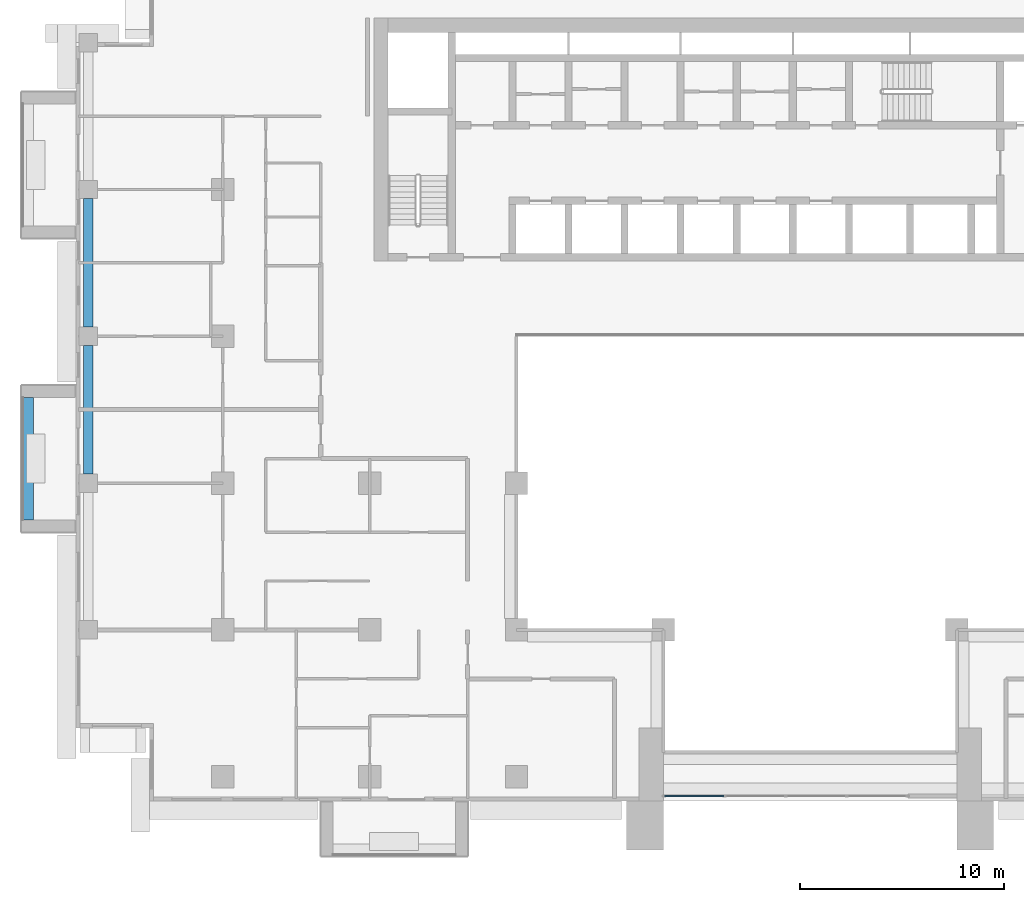
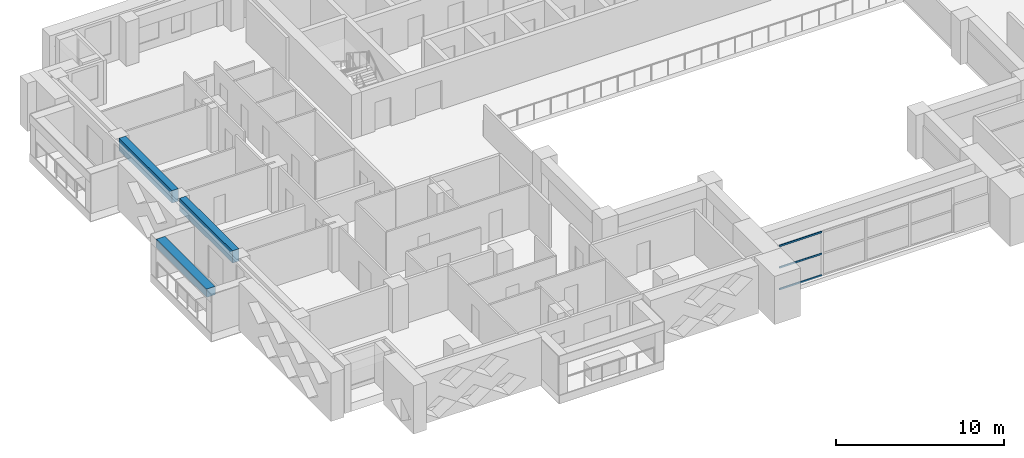
# One storey, part 3 of 20: 3 beams, 3 members, 1 element without a shape of its own.
"""IFC4 building model written with IfcOpenShell, lengths in metres."""

import ifcopenshell
import ifcopenshell.guid

model = None  # the IFC model being written
_history = None  # IfcOwnerHistory: only IFC2X3 demands one
_inside = {}  # id of a spatial element -> (the spatial element, [elements in it])
_under = {}  # id of a project, library or spatial element -> (it, [spatial elements below it])
_declared = {}  # id of a project -> (the project, [libraries it declares])
_typed = {}  # id of a type object -> (the type object, [elements of that type])
_made_of = {}  # id of a material, layer set ... -> (it, [elements and type objects made of it])


def new_model(schema):
    """Start an empty IFC model of exactly this schema.

    Asked for "IFC4X3", IfcOpenShell would pick the latest addendum, in which some entities
    have other attributes; the version numbers below select the first issue.
    IFC2X3 requires an IfcOwnerHistory on every rooted entity: one is made here for all.
    """
    global model, _history
    if schema == "IFC4X3":
        model = ifcopenshell.file(schema_version=(4, 3, 0, 0))
    else:
        model = ifcopenshell.file(schema=schema)
    _inside.clear()
    _under.clear()
    _declared.clear()
    _typed.clear()
    _made_of.clear()
    _history = None
    if model.schema == "IFC2X3":
        org = make("IfcOrganization", Name="unknown")
        user = make(
            "IfcPersonAndOrganization",
            ThePerson=make("IfcPerson", FamilyName="unknown"),
            TheOrganization=org,
        )
        app = make(
            "IfcApplication",
            ApplicationDeveloper=org,
            Version="unknown",
            ApplicationFullName="unknown",
            ApplicationIdentifier="unknown",
        )
        _history = make(
            "IfcOwnerHistory",
            OwningUser=user,
            OwningApplication=app,
            ChangeAction="ADDED",
            CreationDate=0,
        )
    return model


def make(cls, **values):
    """One entity of the class cls with the attributes given. An attribute that is None is left unset."""
    return model.create_entity(
        cls, **{name: value for name, value in values.items() if value is not None}
    )


def rooted(cls, **values):
    """An entity with a GlobalId (a new one), such as an element, a storey or a relation."""
    return make(cls, GlobalId=ifcopenshell.guid.new(), OwnerHistory=_history, **values)


def si_unit(unit_type, name, prefix=None):
    """IfcSIUnit, for example si_unit("LENGTHUNIT", "METRE", prefix="MILLI")."""
    return make("IfcSIUnit", UnitType=unit_type, Prefix=prefix, Name=name)


def assignment(units):
    """IfcUnitAssignment: the units of a project."""
    return None if units is None else make("IfcUnitAssignment", Units=units)


def point(xyz):
    """IfcCartesianPoint."""
    return None if xyz is None else make("IfcCartesianPoint", Coordinates=xyz)


def direction(xyz):
    """IfcDirection."""
    return None if xyz is None else make("IfcDirection", DirectionRatios=xyz)


def frame(location, z_axis=None, x_axis=None):
    """IfcAxis2Placement3D, a coordinate frame: its origin and axes. An axis left out is left unset."""
    return make(
        "IfcAxis2Placement3D",
        Location=point(location),
        Axis=direction(z_axis),
        RefDirection=direction(x_axis),
    )


def frame_2d(location, x_axis=None):
    """IfcAxis2Placement2D, a coordinate frame in the plane: its origin and x axis."""
    return make(
        "IfcAxis2Placement2D", Location=point(location), RefDirection=direction(x_axis)
    )


def origin():
    """The frame at (0, 0, 0) with its axes left unset."""
    return frame((0.0, 0.0, 0.0))


def origin_2d():
    """The frame at (0, 0) in the plane with its x axis left unset."""
    return frame_2d((0.0, 0.0))


def place(relative_to, where):
    """IfcLocalPlacement: puts the frame where relative to a parent placement (None: the world)."""
    return make(
        "IfcLocalPlacement", PlacementRelTo=relative_to, RelativePlacement=where
    )


def context(
    kind, dimensions, precision=None, world=None, true_north=None, identifier=None
):
    """IfcGeometricRepresentationContext, for example the 3D "Model" context."""
    return make(
        "IfcGeometricRepresentationContext",
        ContextIdentifier=identifier,
        ContextType=kind,
        CoordinateSpaceDimension=dimensions,
        Precision=precision,
        WorldCoordinateSystem=world,
        TrueNorth=true_north,
    )


def subcontext(parent, identifier, kind, view, scale=None):
    """IfcGeometricRepresentationSubContext, for example "Body" below "Model"."""
    return make(
        "IfcGeometricRepresentationSubContext",
        ContextIdentifier=identifier,
        ContextType=kind,
        ParentContext=parent,
        TargetScale=scale,
        TargetView=view,
    )


def project(units=None, contexts=None):
    """IfcProject with its units and contexts."""
    return rooted(
        "IfcProject",
        Name="project",
        RepresentationContexts=contexts,
        UnitsInContext=assignment(units),
    )


def spatial(cls, under=None, at=None, **own):
    """A site, building, storey or space (cls), placed at a placement, below another one or the project."""
    s = rooted(cls, ObjectPlacement=at, **own)
    if under is not None:
        _under.setdefault(under.id(), (under, []))[1].append(s)
    return s


def profile(cls, at=None, kind="AREA", **sizes):
    """A parametric profile (cls). Its sizes go by their IFC names, for example OverallWidth=200.0."""
    return make(cls, ProfileType=kind, Position=at, **sizes)


def rectangle(**sizes):
    """IfcRectangleProfileDef."""
    return profile("IfcRectangleProfileDef", **sizes)


def extrude(swept, where, along, depth):
    """IfcExtrudedAreaSolid: the profile swept, set in the frame where, extruded along a direction by depth."""
    return make(
        "IfcExtrudedAreaSolid",
        SweptArea=swept,
        Position=where,
        ExtrudedDirection=direction(along),
        Depth=depth,
    )


def shape(context_of_items, identifier, shape_type, items):
    """IfcShapeRepresentation: the items that make up one representation, for example the "Body"."""
    return make(
        "IfcShapeRepresentation",
        ContextOfItems=context_of_items,
        RepresentationIdentifier=identifier,
        RepresentationType=shape_type,
        Items=items,
    )


def source(mapping_origin, context_of_items, identifier, shape_type, items):
    """IfcRepresentationMap: a shape defined once, which mapped items show again and again."""
    return make(
        "IfcRepresentationMap",
        MappingOrigin=mapping_origin,
        MappedRepresentation=shape(context_of_items, identifier, shape_type, items),
    )


def transform(
    local_origin,
    x_axis=None,
    y_axis=None,
    z_axis=None,
    scale=None,
    scale2=None,
    scale3=None,
    uniform=True,
):
    """IfcCartesianTransformationOperator3D, or its non-uniform kind. x_axis, y_axis, z_axis: its Axis1, 2, 3."""
    if uniform:
        return make(
            "IfcCartesianTransformationOperator3D",
            Axis1=direction(x_axis),
            Axis2=direction(y_axis),
            LocalOrigin=point(local_origin),
            Scale=scale,
            Axis3=direction(z_axis),
        )
    return make(
        "IfcCartesianTransformationOperator3DnonUniform",
        Axis1=direction(x_axis),
        Axis2=direction(y_axis),
        LocalOrigin=point(local_origin),
        Scale=scale,
        Axis3=direction(z_axis),
        Scale2=scale2,
        Scale3=scale3,
    )


def mapped(mapping_source, mapping_target):
    """IfcMappedItem: shows the shape of a source again, moved by a transform."""
    return make(
        "IfcMappedItem", MappingSource=mapping_source, MappingTarget=mapping_target
    )


def material(Name=None, Category=None):
    """IfcMaterial."""
    return make("IfcMaterial", Name=Name, Category=Category)


def layer(
    of_material, thickness, ventilated=None, Name=None, Category=None, Priority=None
):
    """IfcMaterialLayer: one layer of a wall or slab, of a material (None: an air gap)."""
    return make(
        "IfcMaterialLayer",
        Material=of_material,
        LayerThickness=thickness,
        IsVentilated=ventilated,
        Name=Name,
        Category=Category,
        Priority=Priority,
    )


def layer_set(layers, Name=None):
    """IfcMaterialLayerSet."""
    return make("IfcMaterialLayerSet", MaterialLayers=layers, LayerSetName=Name)


def material_profile(
    of_material, cross_section, Name=None, Category=None, Priority=None
):
    """IfcMaterialProfile: a cross section and its material."""
    return make(
        "IfcMaterialProfile",
        Name=Name,
        Material=of_material,
        Profile=cross_section,
        Priority=Priority,
        Category=Category,
    )


def profile_set(profiles, Name=None, composite=None):
    """IfcMaterialProfileSet."""
    return make(
        "IfcMaterialProfileSet",
        Name=Name,
        MaterialProfiles=profiles,
        CompositeProfile=composite,
    )


def made_of(thing, what):
    """Note that an element or type object is made of a material, layer set ...; save() writes the relation."""
    if what is not None:
        _made_of.setdefault(what.id(), (what, []))[1].append(thing)
    return thing


def type_object(cls, material=None, **own):
    """A type object (cls), such as IfcWallType, which elements share."""
    return made_of(rooted(cls, **own), material)


def element(
    cls,
    number,
    at=None,
    inside=None,
    cuts=None,
    type_object=None,
    material=None,
    context=None,
    identifier="Body",
    shape_type=None,
    held_by="IfcProductDefinitionShape",
    body=None,
    shapes=None,
    **own,
):
    """One element of the class cls, such as IfcWall. Its Tag is "e" and its number.

    at: its placement. inside: the storey or other place that contains it. cuts: it is an
    opening in that element (IfcRelVoidsElement). A single representation is given by context,
    identifier, shape_type and body (its items); several are given by shapes. held_by: the class
    of the entity that holds the representations. save() writes the other relations.
    """
    e = rooted(cls, Tag="e%d" % number, ObjectPlacement=at, **own)
    if body is not None:
        shapes = [shape(context, identifier, shape_type, body)]
    if shapes is not None:
        e.Representation = make(held_by, Representations=shapes)
    if inside is not None:
        _inside.setdefault(inside.id(), (inside, []))[1].append(e)
    if cuts is not None:
        rooted(
            "IfcRelVoidsElement", RelatingBuildingElement=cuts, RelatedOpeningElement=e
        )
    if type_object is not None:
        _typed.setdefault(type_object.id(), (type_object, []))[1].append(e)
    return made_of(e, material)


def aggregate(whole, parts):
    """IfcRelAggregates: a whole, such as a stair, and the parts it consists of."""
    return rooted("IfcRelAggregates", RelatingObject=whole, RelatedObjects=parts)


def save(model, path):
    """Write the relations noted so far, then the file.

    IfcRelAggregates (storeys below a building ...), IfcRelContainedInSpatialStructure (elements
    in a storey), IfcRelDefinesByType, IfcRelAssociatesMaterial and IfcRelDeclares: one each for
    every whole, place, type object, material and project.
    """
    for whole, parts in _under.values():
        aggregate(whole, parts)
    for where, things in _inside.values():
        rooted(
            "IfcRelContainedInSpatialStructure",
            RelatedElements=things,
            RelatingStructure=where,
        )
    for kind, things in _typed.values():
        rooted("IfcRelDefinesByType", RelatedObjects=things, RelatingType=kind)
    for what, things in _made_of.values():
        rooted("IfcRelAssociatesMaterial", RelatedObjects=things, RelatingMaterial=what)
    for by, libraries in _declared.values():
        rooted("IfcRelDeclares", RelatingContext=by, RelatedDefinitions=libraries)
    model.write(path)


model = new_model("IFC4")

# Units and contexts
model_context = context("Model", 3, precision=1e-05, world=origin(), true_north=direction((0.0, 1.0)))
body_context = subcontext(model_context, "Body", "Model", "MODEL_VIEW")
ifc_project = project(units=[si_unit("LENGTHUNIT", "METRE"), si_unit("AREAUNIT", "SQUARE_METRE"), si_unit("VOLUMEUNIT", "CUBIC_METRE"), si_unit("PLANEANGLEUNIT", "RADIAN"), si_unit("MASSUNIT", "GRAM", prefix="KILO")], contexts=[model_context])

# Site, building, storey
site_placement = place(None, origin())
site = spatial("IfcSite", under=ifc_project, at=site_placement, CompositionType="ELEMENT")
building_placement = place(site_placement, origin())
building = spatial("IfcBuilding", under=site, at=building_placement, Name="Saffron Iwan Residences", CompositionType="ELEMENT")
storey_placement = place(building_placement, frame((0.0, 0.0, 123.5)))
storey = spatial("IfcBuildingStorey", under=building, at=storey_placement, Name="L32", CompositionType="ELEMENT", Elevation=123.5)

# Beams
ifc_material_1 = material(Name="Concrete C50/60", Category="concrete")
ifc_material_profile_1 = material_profile(ifc_material_1, rectangle(XDim=0.449951171875, YDim=0.89990234375, at=origin_2d()), Name="RC 450x900")
ifc_profile_set_1 = profile_set([ifc_material_profile_1], Name="Concrete C50/60")
beam_type_1 = type_object("IfcBeamType", Name="SPANDREL BEAM RC 450x900 C50/60 TOP 3200", PredefinedType="SPANDREL", material=ifc_profile_set_1)
shared_shape_1 = source(origin(), body_context, "Body", "SweptSolid", [
    extrude(rectangle(XDim=0.449951171875, YDim=0.89990234375, at=origin_2d()), origin(), (0.0, 0.0, 1.0), 6.300048828125),
])
beam_1_placement = place(storey_placement, frame((15.0, 55.64990234375, 2.75), z_axis=(0.0, 1.0, 0.0), x_axis=(-1.0, 0.0, 0.0)))
element("IfcBeam", 1, at=beam_1_placement, inside=storey, type_object=beam_type_1, Name="Spandrel beam", PredefinedType="SPANDREL", context=body_context, shape_type="MappedRepresentation", body=[
    mapped(shared_shape_1, transform((0.0, 0.0, 0.0))),
])
shared_shape_2 = source(origin(), body_context, "Body", "SweptSolid", [
    extrude(rectangle(XDim=0.449951171875, YDim=0.89990234375, at=origin_2d()), origin(), (0.0, 0.0, 1.0), 6.2998046875),
])
beam_2_placement = place(storey_placement, frame((15.0, 62.85009765625, 2.75), z_axis=(0.0, 1.0, 0.0), x_axis=(-1.0, 0.0, 0.0)))
element("IfcBeam", 2, at=beam_2_placement, inside=storey, type_object=beam_type_1, Name="Spandrel beam", PredefinedType="SPANDREL", context=body_context, shape_type="MappedRepresentation", body=[
    mapped(shared_shape_2, transform((0.0, 0.0, 0.0))),
])

# Curtain wall, members
ifc_material_2 = material(Name="Clear glass, laminated double glazed", Category="glass")
ifc_layer = layer(ifc_material_2, 0.199951171875)
ifc_layer_set = layer_set([ifc_layer], Name="Clear glass, laminated double glazed")
curtain_wall_type = type_object("IfcCurtainWallType", Name="CW-B IWAN PORTAL", PredefinedType="NOTDEFINED", material=ifc_layer_set)
curtain_wall_placement = place(storey_placement, origin())
curtain_wall = element("IfcCurtainWall", 3, at=curtain_wall_placement, inside=storey, type_object=curtain_wall_type, Name="Iwan portal glazing L32.1", PredefinedType="NOTDEFINED")
ifc_material_3 = material(Name="Aluminium 6063-T6", Category="aluminium")
ifc_material_profile_2 = material_profile(ifc_material_3, rectangle(XDim=0.06005859375, YDim=0.1201171875, at=origin_2d()), Name="CW-B TRANSOM 60 x 120")
ifc_profile_set_2 = profile_set([ifc_material_profile_2], Name="Aluminium 6063-T6")
member_type = type_object("IfcMemberType", Name="CW-B TRANSOM 60 x 120", PredefinedType="USERDEFINED", material=ifc_profile_set_2)
shared_shape_3 = source(origin(), body_context, "Body", "SweptSolid", [
    extrude(rectangle(XDim=0.06005859375, YDim=0.1201171875, at=origin_2d()), origin(), (0.0, 0.0, 1.0), 2.909912109375),
])
member_1_placement = place(storey_placement, frame((43.260009765625, 39.85009765625, 0.030029296875), z_axis=(1.0, 0.0, 0.0), x_axis=(0.0, 1.0, 0.0)))
member_1 = element("IfcMember", 4, at=member_1_placement, type_object=member_type, Name="CW-B transom 1.1", ObjectType="TRANSOM", PredefinedType="USERDEFINED", context=body_context, shape_type="MappedRepresentation", body=[
    mapped(shared_shape_3, transform((0.0, 0.0, 0.0))),
])
member_2_placement = place(storey_placement, frame((43.260009765625, 39.85009765625, 1.60009765625), z_axis=(1.0, 0.0, 0.0), x_axis=(0.0, 1.0, 0.0)))
member_2 = element("IfcMember", 5, at=member_2_placement, type_object=member_type, Name="CW-B transom 1.2", ObjectType="TRANSOM", PredefinedType="USERDEFINED", context=body_context, shape_type="MappedRepresentation", body=[
    mapped(shared_shape_3, transform((0.0, 0.0, 0.0))),
])
member_3_placement = place(storey_placement, frame((43.260009765625, 39.85009765625, 3.169921875), z_axis=(1.0, 0.0, 0.0), x_axis=(0.0, 1.0, 0.0)))
member_3 = element("IfcMember", 6, at=member_3_placement, type_object=member_type, Name="CW-B transom 1.3", ObjectType="TRANSOM", PredefinedType="USERDEFINED", context=body_context, shape_type="MappedRepresentation", body=[
    mapped(shared_shape_3, transform((0.0, 0.0, 0.0))),
])
aggregate(curtain_wall, [member_1, member_2, member_3])

# Beam
ifc_material_4 = material(Name="Concrete C50/60 white painted", Category="concrete")
ifc_material_profile_3 = material_profile(ifc_material_4, rectangle(XDim=0.60009765625, YDim=0.60009765625, at=origin_2d()), Name="BALCONY FASCIA BEAM 600 x 600")
ifc_profile_set_3 = profile_set([ifc_material_profile_3], Name="Concrete C50/60 white painted")
beam_type_2 = type_object("IfcBeamType", Name="BALCONY FASCIA BEAM 600 x 600", PredefinedType="BEAM", material=ifc_profile_set_3)
shared_shape_4 = source(origin(), body_context, "Body", "SweptSolid", [
    extrude(rectangle(XDim=0.60009765625, YDim=0.60009765625, at=origin_2d()), origin(), (0.0, 0.0, 1.0), 6.0),
])
beam_3_placement = place(storey_placement, frame((12.0, 59.39990234375, 2.550048828125), z_axis=(0.0, -1.0, 0.0), x_axis=(1.0, 0.0, 0.0)))
element("IfcBeam", 7, at=beam_3_placement, inside=storey, type_object=beam_type_2, Name="Balcony fascia beam L32 F8-1", PredefinedType="BEAM", context=body_context, shape_type="MappedRepresentation", body=[
    mapped(shared_shape_4, transform((0.0, 0.0, 0.0))),
])

save(model, "model.ifc")
